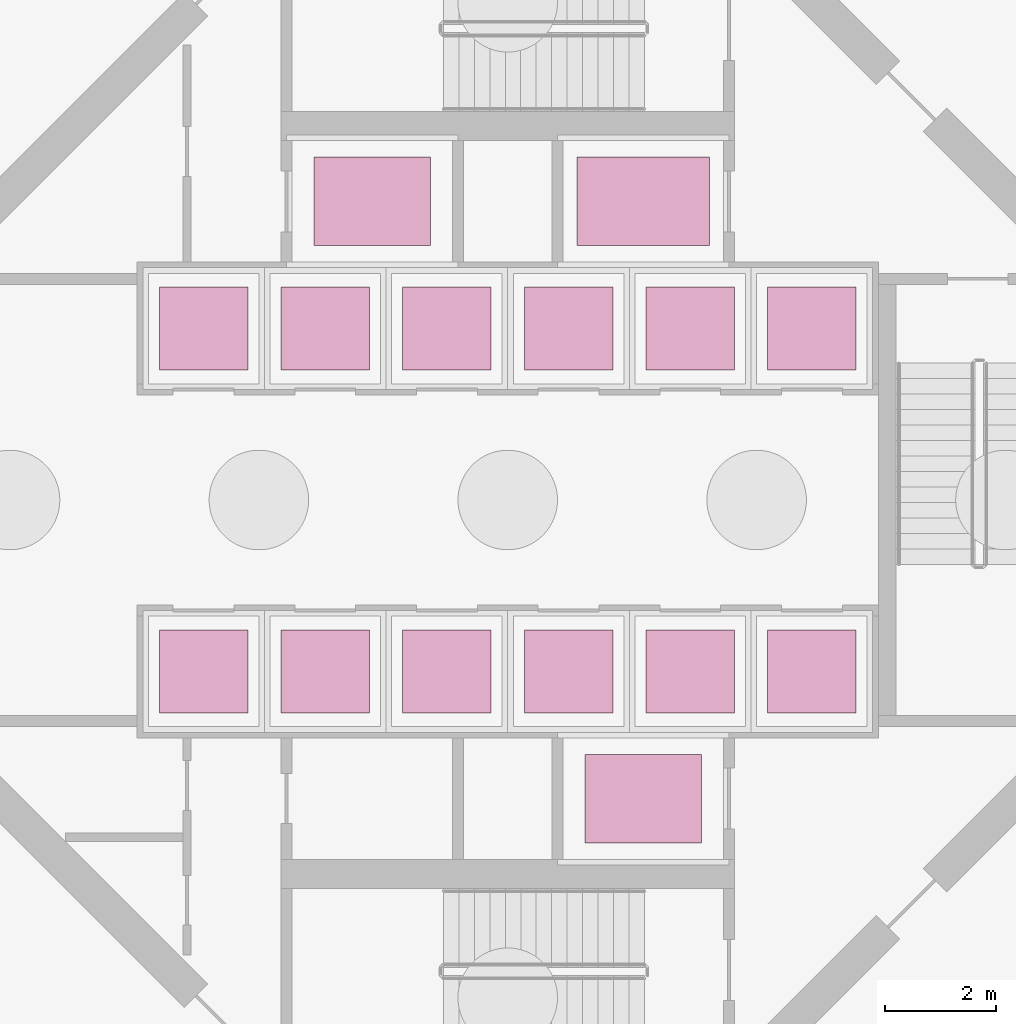
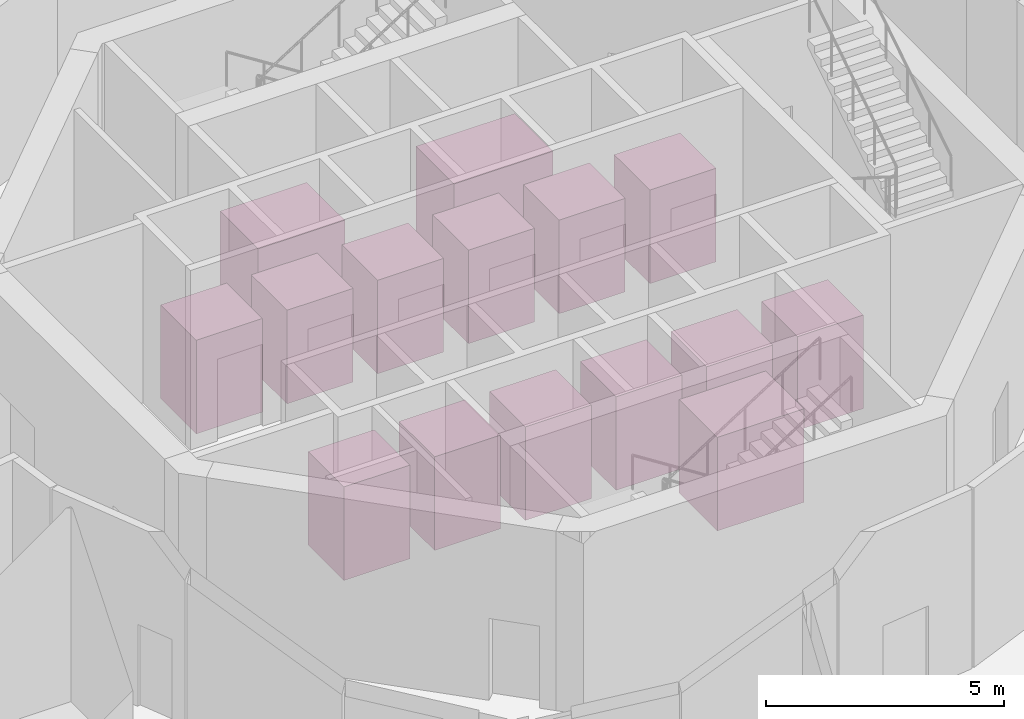
# One storey, part 14 of 14: 15 transport elements.
"""IFC4 building model written with IfcOpenShell, lengths in metres."""

from ifc_helpers import new_model, si_unit, direction, frame, origin, origin_2d, place, context, subcontext, project, spatial, rectangle, extrude, material, type_object, element, save


model = new_model("IFC4")

# Units and contexts
model_context = context("Model", 3, precision=1e-05, world=origin(), true_north=direction((0.0, 1.0)))
body_context = subcontext(model_context, "Body", "Model", "MODEL_VIEW")
ifc_project = project(units=[si_unit("LENGTHUNIT", "METRE"), si_unit("AREAUNIT", "SQUARE_METRE"), si_unit("VOLUMEUNIT", "CUBIC_METRE"), si_unit("PLANEANGLEUNIT", "RADIAN"), si_unit("MASSUNIT", "GRAM", prefix="KILO")], contexts=[model_context])

# Site, building, storey
site_placement = place(None, origin())
site = spatial("IfcSite", under=ifc_project, at=site_placement, CompositionType="ELEMENT")
building_placement = place(site_placement, origin())
building = spatial("IfcBuilding", under=site, at=building_placement, Name="Nagisa Residences", CompositionType="ELEMENT")
storey_placement = place(building_placement, frame((0.0, 0.0, -10.0)))
storey = spatial("IfcBuildingStorey", under=building, at=storey_placement, Name="B2", CompositionType="ELEMENT", Elevation=-10.0)

# Transport elements
ifc_material_1 = material(Name="Stainless steel", Category="steel")
transport_element_type_1 = type_object("IfcTransportElementType", Name="Lift car 1.60x1.50", PredefinedType="ELEVATOR", material=ifc_material_1)
for number, where, z_axis, x_axis, name in (
    (1, (-5.5, 3.10009765625, 0.0), (0.0, 0.0, 1.0), (1.0, 0.0, 0.0), "Lift A1"),
    (2, (-3.300048828125, 3.10009765625, 0.0), (0.0, 0.0, 1.0), (1.0, 0.0, 0.0), "Lift A2"),
    (3, (-1.10009765625, 3.10009765625, 0.0), (0.0, 0.0, 1.0), (1.0, 0.0, 0.0), "Lift A3"),
    (4, (1.10009765625, 3.10009765625, 0.0), (0.0, 0.0, 1.0), (1.0, 0.0, 0.0), "Lift B1"),
    (5, (3.300048828125, 3.10009765625, 0.0), (0.0, 0.0, 1.0), (1.0, 0.0, 0.0), "Lift B2"),
    (6, (5.5, 3.10009765625, 0.0), (0.0, 0.0, 1.0), (1.0, 0.0, 0.0), "Lift C1"),
    (7, (-5.5, -3.10009765625, 0.0), (0.0, 0.0, 1.0), (1.0, 0.0, 0.0), "Lift A4"),
    (8, (-3.300048828125, -3.10009765625, 0.0), (0.0, 0.0, 1.0), (1.0, 0.0, 0.0), "Lift A5"),
    (9, (-1.10009765625, -3.10009765625, 0.0), (0.0, 0.0, 1.0), (1.0, 0.0, 0.0), "Lift B3"),
    (10, (1.10009765625, -3.10009765625, 0.0), (0.0, 0.0, 1.0), (1.0, 0.0, 0.0), "Lift B4"),
    (11, (3.300048828125, -3.10009765625, 0.0), (0.0, 0.0, 1.0), (1.0, 0.0, 0.0), "Lift C2"),
    (12, (5.5, -3.10009765625, 0.0), (0.0, 0.0, 1.0), (1.0, 0.0, 0.0), "Lift C3"),
):
    element("IfcTransportElement", number, at=place(storey_placement, frame(where, z_axis=z_axis, x_axis=x_axis)), inside=storey, type_object=transport_element_type_1, Name=name, PredefinedType="ELEVATOR", context=body_context, shape_type="SweptSolid", body=[
        extrude(rectangle(XDim=1.60009765625, YDim=1.5, at=origin_2d()), origin(), (0.0, 0.0, 1.0), 2.39990234375),
    ])
ifc_material_2 = material(Name="Stainless steel", Category="steel")
transport_element_type_2 = type_object("IfcTransportElementType", Name="Lift car 1.60x2.10", PredefinedType="ELEVATOR", material=ifc_material_2)
for number, where, z_axis, x_axis, name in (
    (13, (2.449951171875, -5.39990234375, 0.0), (0.0, 0.0, 1.0), (1.0, 0.0, 0.0), "Lift FL2"),
    (14, (-2.449951171875, 5.39990234375, 0.0), (0.0, 0.0, 1.0), (1.0, 0.0, 0.0), "Lift SV1"),
):
    element("IfcTransportElement", number, at=place(storey_placement, frame(where, z_axis=z_axis, x_axis=x_axis)), inside=storey, type_object=transport_element_type_2, Name=name, PredefinedType="ELEVATOR", context=body_context, shape_type="SweptSolid", body=[
        extrude(rectangle(XDim=2.10009765625, YDim=1.60009765625, at=origin_2d()), origin(), (0.0, 0.0, 1.0), 2.39990234375),
    ])
ifc_material_3 = material(Name="Stainless steel", Category="steel")
transport_element_type_3 = type_object("IfcTransportElementType", Name="Lift car 1.60x2.40", PredefinedType="ELEVATOR", material=ifc_material_3)
transport_element_placement = place(storey_placement, frame((2.449951171875, 5.39990234375, 0.0), z_axis=(0.0, 0.0, 1.0), x_axis=(1.0, 0.0, 0.0)))
element("IfcTransportElement", 15, at=transport_element_placement, inside=storey, type_object=transport_element_type_3, Name="Lift FL1", PredefinedType="ELEVATOR", context=body_context, shape_type="SweptSolid", body=[
    extrude(rectangle(XDim=2.39990234375, YDim=1.60009765625, at=origin_2d()), origin(), (0.0, 0.0, 1.0), 2.39990234375),
])

save(model, "model.ifc")
